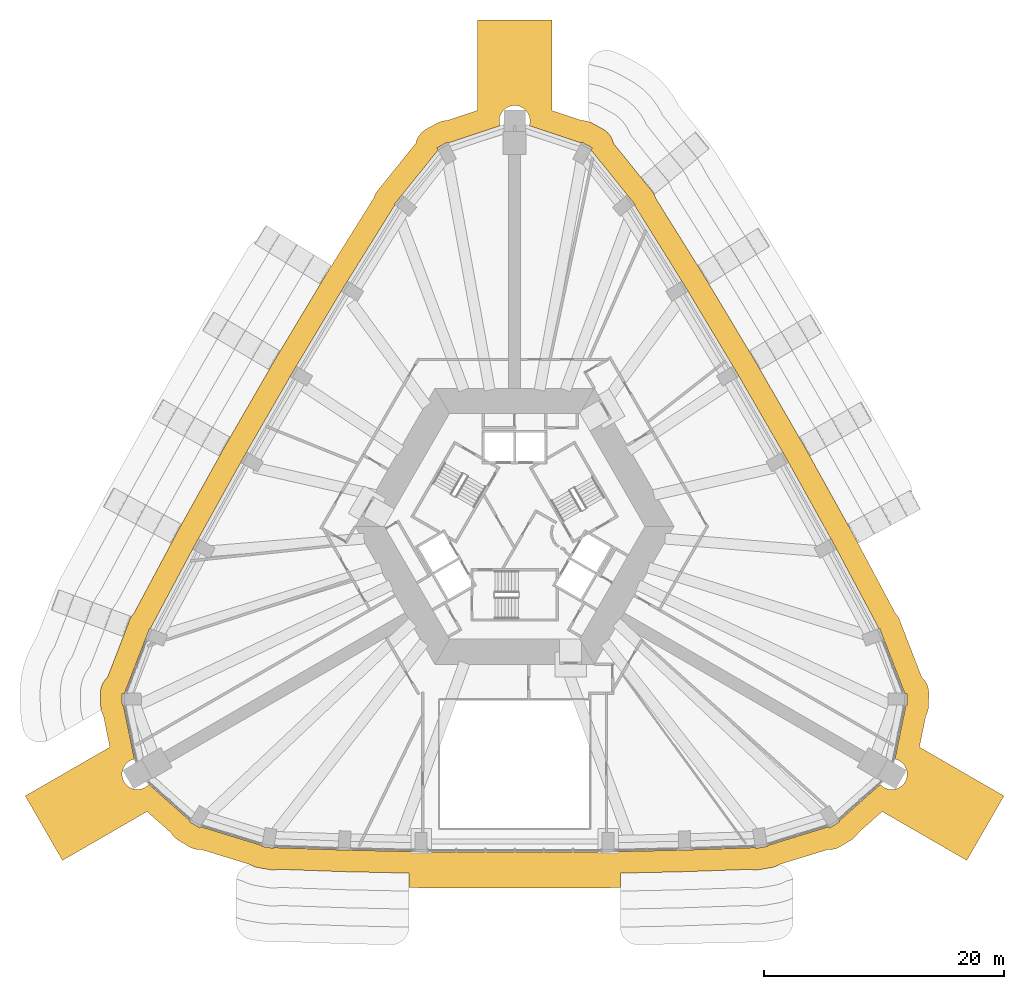
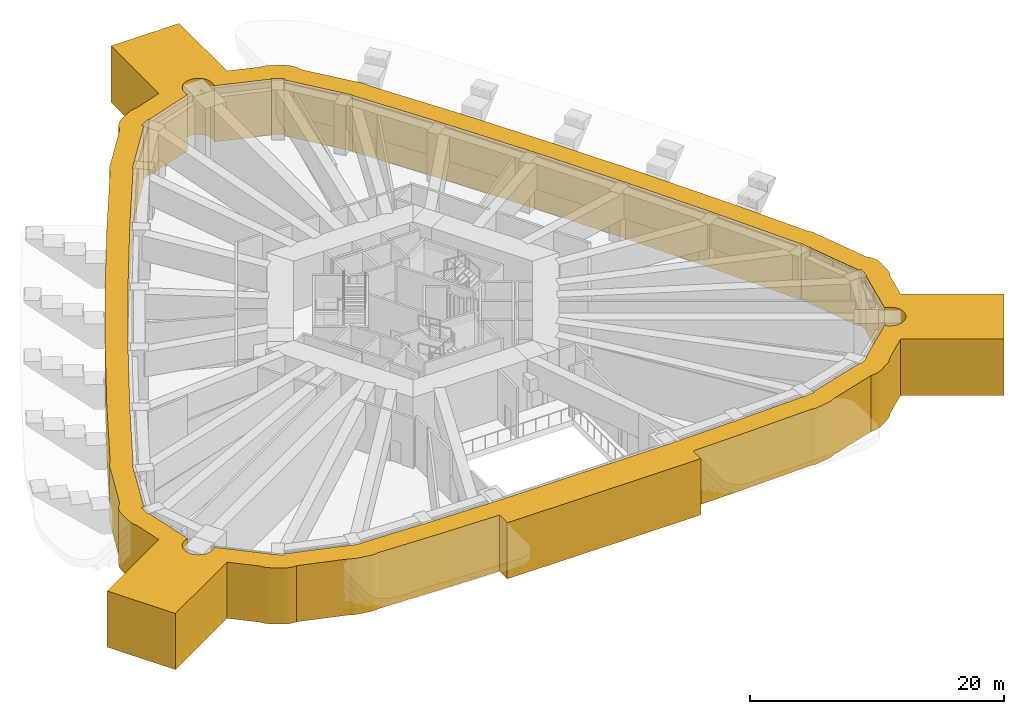
# One storey, part 19 of 21: 1 covering.
"""IFC4 building model written with IfcOpenShell, lengths in metres."""

from ifc_helpers import new_model, si_unit, direction, frame, origin, place, context, subcontext, project, spatial, polyline, outline, extrude, material, type_object, element, save


model = new_model("IFC4")

# Units and contexts
model_context = context("Model", 3, precision=1e-05, world=origin(), true_north=direction((0.0, 1.0)))
body_context = subcontext(model_context, "Body", "Model", "MODEL_VIEW")
ifc_project = project(units=[si_unit("LENGTHUNIT", "METRE"), si_unit("AREAUNIT", "SQUARE_METRE"), si_unit("VOLUMEUNIT", "CUBIC_METRE"), si_unit("PLANEANGLEUNIT", "RADIAN"), si_unit("MASSUNIT", "GRAM", prefix="KILO")], contexts=[model_context])

# Site, building, storey
site_placement = place(None, origin())
site = spatial("IfcSite", under=ifc_project, at=site_placement, CompositionType="ELEMENT")
building_placement = place(site_placement, origin())
building = spatial("IfcBuilding", under=site, at=building_placement, Name="Entoto Arch Interchange Tower", CompositionType="ELEMENT")
storey_placement = place(building_placement, frame((0.0, 0.0, 236.0)))
storey = spatial("IfcBuildingStorey", under=building, at=storey_placement, Name="L53", CompositionType="ELEMENT", Elevation=236.0)

# Covering
ifc_material = material(Name="Board-marked precast concrete C50/60", Category="concrete")
covering_type = type_object("IfcCoveringType", Name="PRECAST FRAME COURSE", PredefinedType="CLADDING", material=ifc_material)
covering_placement = place(storey_placement, frame((0.0, 0.0, -0.60009765625)))
element("IfcCovering", 1, at=covering_placement, inside=storey, type_object=covering_type, Name="Zone frame L53", PredefinedType="CLADDING", context=body_context, shape_type="SweptSolid", body=[
    extrude(outline(polyline([(-34.2490234375, -13.2939453125), (-34.327880859375, -13.136962890625), (-34.39208984375, -12.971923828125), (-34.43896484375, -12.801025390625), (-34.468994140625, -12.626953125), (-34.48193359375, -12.450927734375), (-34.507080078125, -11.451904296875), (-34.501953125, -11.27490234375), (-34.48095703125, -11.10009765625), (-34.44189453125, -10.927001953125), (-34.386962890625, -10.760009765625), (-34.31494140625, -10.597900390625), (-34.22802734375, -10.444091796875), (-34.126953125, -10.300048828125), (-34.010986328125, -10.166015625), (-33.916015625, -10.075927734375), (-32.26904296875, -5.822998046875), (-32.10107421875, -5.365966796875), (-32.031005859375, -5.2041015625), (-31.946044921875, -5.049072265625), (-31.846923828125, -4.903076171875), (-31.73291015625, -4.76806640625), (-31.712890625, -4.7490234375), (-28.429931640625, 1.407958984375), (-28.410888671875, 1.447998046875), (-27.93701171875, 2.3291015625), (-27.925048828125, 2.35009765625), (-24.425048828125, 8.64111328125), (-24.388916015625, 8.7109375), (-23.89794921875, 9.58203125), (-23.888916015625, 9.597900390625), (-20.303955078125, 15.798095703125), (-20.2470703125, 15.906005859375), (-19.739013671875, 16.76708984375), (-19.73193359375, 16.778076171875), (-16.069091796875, 22.87890625), (-15.985107421875, 23.030029296875), (-15.4599609375, 23.881103515625), (-15.4560546875, 23.887939453125), (-11.743896484375, 29.839111328125), (-11.737060546875, 29.864990234375), (-11.676025390625, 30.031005859375), (-11.60009765625, 30.19091796875), (-11.508056640625, 30.342041015625), (-11.402099609375, 30.48291015625), (-11.092041015625, 30.85693359375), (-8.23193359375, 34.410888671875), (-8.200927734375, 34.5380859375), (-8.14306640625, 34.705078125), (-8.068115234375, 34.864990234375), (-7.97900390625, 35.01806640625), (-7.875, 35.159912109375), (-7.757080078125, 35.2919921875), (-7.626953125, 35.412109375), (-7.486083984375, 35.51806640625), (-7.3349609375, 35.610107421875), (-6.45703125, 36.089111328125), (-6.298095703125, 36.166015625), (-6.132080078125, 36.22607421875), (-5.9609375, 36.27099609375), (-5.787109375, 36.298095703125), (-5.611083984375, 36.30810546875), (-3.10009765625, 37.14599609375), (-3.10009765625, 44.68310546875), (3.10009765625, 44.68310546875), (3.10009765625, 37.14599609375), (5.611083984375, 36.30810546875), (5.787109375, 36.298095703125), (5.9609375, 36.27099609375), (6.132080078125, 36.22607421875), (6.298095703125, 36.166015625), (6.45703125, 36.089111328125), (7.3349609375, 35.610107421875), (7.486083984375, 35.51806640625), (7.626953125, 35.412109375), (7.757080078125, 35.2919921875), (7.875, 35.159912109375), (7.97900390625, 35.01806640625), (8.068115234375, 34.864990234375), (8.14306640625, 34.705078125), (8.200927734375, 34.5380859375), (8.23193359375, 34.410888671875), (11.092041015625, 30.85693359375), (11.402099609375, 30.48291015625), (11.508056640625, 30.342041015625), (11.60009765625, 30.19091796875), (11.676025390625, 30.031005859375), (11.737060546875, 29.864990234375), (11.743896484375, 29.839111328125), (15.43408203125, 23.9189453125), (15.4599609375, 23.881103515625), (15.985107421875, 23.030029296875), (15.998046875, 23.009033203125), (19.696044921875, 16.83203125), (19.739013671875, 16.76708984375), (20.2470703125, 15.906005859375), (20.257080078125, 15.888916015625), (23.8330078125, 9.68505859375), (23.89794921875, 9.58203125), (24.388916015625, 8.7109375), (24.39599609375, 8.699951171875), (27.847900390625, 2.47607421875), (27.93701171875, 2.3291015625), (28.410888671875, 1.447998046875), (28.4150390625, 1.44091796875), (31.714111328125, -4.7490234375), (31.73291015625, -4.76806640625), (31.846923828125, -4.903076171875), (31.946044921875, -5.049072265625), (32.031005859375, -5.2041015625), (32.10107421875, -5.365966796875), (32.26904296875, -5.822998046875), (33.916015625, -10.075927734375), (34.010986328125, -10.166015625), (34.126953125, -10.300048828125), (34.22802734375, -10.444091796875), (34.31494140625, -10.597900390625), (34.386962890625, -10.760009765625), (34.44189453125, -10.927001953125), (34.48095703125, -11.10009765625), (34.501953125, -11.27490234375), (34.507080078125, -11.451904296875), (34.48193359375, -12.450927734375), (34.468994140625, -12.626953125), (34.43896484375, -12.801025390625), (34.39208984375, -12.971923828125), (34.327880859375, -13.136962890625), (34.2490234375, -13.2939453125), (33.718994140625, -15.887939453125), (40.76611328125, -19.9560546875), (37.666015625, -25.325927734375), (30.618896484375, -21.257080078125), (28.636962890625, -23.012939453125), (28.5400390625, -23.160888671875), (28.428955078125, -23.298095703125), (28.305908203125, -23.424072265625), (28.169921875, -23.537109375), (28.02392578125, -23.636962890625), (27.169921875, -24.157958984375), (27.014892578125, -24.241943359375), (26.85302734375, -24.31103515625), (26.68408203125, -24.364013671875), (26.510986328125, -24.39990234375), (26.3359375, -24.4189453125), (26.158935546875, -24.419921875), (26.10595703125, -24.4150390625), (22.028076171875, -25.673095703125), (22.02197265625, -25.677001953125), (21.868896484375, -25.762939453125), (21.70703125, -25.8349609375), (21.5390625, -25.889892578125), (21.366943359375, -25.927978515625), (20.381103515625, -26.097900390625), (20.2060546875, -26.118896484375), (20.029052734375, -26.123046875), (19.85302734375, -26.110107421875), (19.678955078125, -26.0791015625), (19.654052734375, -26.072021484375), (14.758056640625, -26.2451171875), (14.74609375, -26.24609375), (13.7470703125, -26.280029296875), (13.722900390625, -26.281005859375), (8.800048828125, -26.385009765625), (8.800048828125, -27.5849609375), (8.447021484375, -27.592041015625), (8.339111328125, -27.59912109375), (7.340087890625, -27.612060546875), (7.299072265625, -27.613037109375), (-7.1650390625, -27.60595703125), (-7.340087890625, -27.612060546875), (-8.339111328125, -27.59912109375), (-8.368896484375, -27.59912109375), (-8.800048828125, -27.589111328125), (-8.800048828125, -26.387939453125), (-13.594970703125, -26.278076171875), (-13.7470703125, -26.280029296875), (-14.74609375, -26.24609375), (-14.748046875, -26.24609375), (-19.654052734375, -26.072021484375), (-19.678955078125, -26.0791015625), (-19.85302734375, -26.110107421875), (-20.029052734375, -26.123046875), (-20.2060546875, -26.118896484375), (-20.381103515625, -26.097900390625), (-21.366943359375, -25.927978515625), (-21.5390625, -25.889892578125), (-21.70703125, -25.8349609375), (-21.868896484375, -25.762939453125), (-22.02197265625, -25.677001953125), (-22.028076171875, -25.673095703125), (-26.10595703125, -24.4150390625), (-26.158935546875, -24.419921875), (-26.3359375, -24.4189453125), (-26.510986328125, -24.39990234375), (-26.68408203125, -24.364013671875), (-26.85302734375, -24.31103515625), (-27.014892578125, -24.241943359375), (-27.169921875, -24.157958984375), (-28.02392578125, -23.636962890625), (-28.169921875, -23.537109375), (-28.305908203125, -23.424072265625), (-28.428955078125, -23.298095703125), (-28.5400390625, -23.160888671875), (-28.636962890625, -23.012939453125), (-30.618896484375, -21.257080078125), (-37.666015625, -25.325927734375), (-40.76611328125, -19.9560546875), (-33.718994140625, -15.887939453125), (-34.2490234375, -13.2939453125)]), holes=[polyline([(-27.0390625, -22.02392578125), (-27.0859375, -22.10009765625), (-26.658935546875, -22.361083984375), (-26.23193359375, -22.6220703125), (-26.166015625, -22.512939453125), (-21.051025390625, -24.090087890625), (-21.06201171875, -24.154052734375), (-20.569091796875, -24.239013671875), (-20.075927734375, -24.323974609375), (-20.06494140625, -24.257080078125), (-14.68505859375, -24.446044921875), (-14.68505859375, -24.447021484375), (-14.18505859375, -24.464111328125), (-13.68505859375, -24.48095703125), (-13.68505859375, -24.47509765625), (-8.300048828125, -24.594970703125), (-8.300048828125, -24.59912109375), (-7.300048828125, -24.613037109375), (-7.300048828125, -24.60595703125), (7.300048828125, -24.60595703125), (7.300048828125, -24.613037109375), (8.300048828125, -24.59912109375), (8.300048828125, -24.594970703125), (13.68505859375, -24.47509765625), (13.68505859375, -24.48095703125), (14.18505859375, -24.464111328125), (14.68505859375, -24.447021484375), (14.68505859375, -24.446044921875), (20.06494140625, -24.257080078125), (20.075927734375, -24.323974609375), (20.569091796875, -24.239013671875), (21.06201171875, -24.154052734375), (21.051025390625, -24.090087890625), (26.166015625, -22.512939453125), (26.23193359375, -22.6220703125), (26.658935546875, -22.361083984375), (27.0859375, -22.10009765625), (27.0390625, -22.02392578125), (30.467041015625, -18.987060546875), (30.51806640625, -19.044921875), (30.611083984375, -19.12890625), (30.7119140625, -19.202880859375), (30.820068359375, -19.26806640625), (30.93310546875, -19.322021484375), (31.051025390625, -19.364013671875), (31.173095703125, -19.39404296875), (31.297119140625, -19.4130859375), (31.422119140625, -19.4189453125), (31.547119140625, -19.4130859375), (31.6708984375, -19.39404296875), (31.79296875, -19.364013671875), (31.910888671875, -19.322021484375), (32.02392578125, -19.26806640625), (32.132080078125, -19.202880859375), (32.23291015625, -19.12890625), (32.325927734375, -19.044921875), (32.409912109375, -18.951904296875), (32.48388671875, -18.85107421875), (32.549072265625, -18.742919921875), (32.60302734375, -18.6298828125), (32.64501953125, -18.511962890625), (32.675048828125, -18.389892578125), (32.694091796875, -18.26611328125), (32.699951171875, -18.14111328125), (32.694091796875, -18.01611328125), (32.675048828125, -17.89208984375), (32.64501953125, -17.77001953125), (32.60302734375, -17.652099609375), (32.549072265625, -17.5390625), (32.48388671875, -17.430908203125), (32.409912109375, -17.330078125), (32.325927734375, -17.237060546875), (32.23291015625, -17.153076171875), (32.132080078125, -17.0791015625), (32.02392578125, -17.013916015625), (31.910888671875, -16.9599609375), (31.79296875, -16.91796875), (31.677978515625, -16.888916015625), (32.593017578125, -12.405029296875), (32.68310546875, -12.406982421875), (32.695068359375, -11.906982421875), (32.70703125, -11.406982421875), (32.512939453125, -11.402099609375), (32.485107421875, -11.364990234375), (30.5859375, -6.4599609375), (30.412109375, -5.990966796875), (30.34912109375, -6.014892578125), (26.823974609375, 0.593994140625), (26.825927734375, 0.594970703125), (26.35205078125, 1.47509765625), (26.345947265625, 1.471923828125), (22.819091796875, 7.824951171875), (22.822021484375, 7.826904296875), (22.330078125, 8.697021484375), (22.325927734375, 8.695068359375), (18.693115234375, 14.988037109375), (18.697021484375, 14.989990234375), (18.443115234375, 15.4208984375), (18.18896484375, 15.85205078125), (18.18603515625, 15.85009765625), (14.447998046875, 22.0810546875), (14.4541015625, 22.0849609375), (14.19091796875, 22.510009765625), (13.927978515625, 22.93505859375), (13.927001953125, 22.93408203125), (9.965087890625, 29.2900390625), (10.01708984375, 29.3330078125), (9.697998046875, 29.718017578125), (6.402099609375, 33.81298828125), (6.381103515625, 33.85791015625), (6.47412109375, 34.030029296875), (6.034912109375, 34.26904296875), (5.595947265625, 34.508056640625), (5.552978515625, 34.429931640625), (1.2109375, 35.87890625), (1.222900390625, 35.912109375), (1.2529296875, 36.033935546875), (1.27197265625, 36.157958984375), (1.278076171875, 36.282958984375), (1.27197265625, 36.407958984375), (1.2529296875, 36.531982421875), (1.222900390625, 36.654052734375), (1.180908203125, 36.77197265625), (1.126953125, 36.885009765625), (1.06201171875, 36.992919921875), (0.988037109375, 37.093994140625), (0.904052734375, 37.18701171875), (0.81103515625, 37.27099609375), (0.7099609375, 37.344970703125), (0.60205078125, 37.409912109375), (0.489013671875, 37.464111328125), (0.37109375, 37.506103515625), (0.2490234375, 37.535888671875), (0.125, 37.554931640625), (0.0, 37.56103515625), (-0.125, 37.554931640625), (-0.2490234375, 37.535888671875), (-0.37109375, 37.506103515625), (-0.489013671875, 37.464111328125), (-0.60205078125, 37.409912109375), (-0.7099609375, 37.344970703125), (-0.81103515625, 37.27099609375), (-0.904052734375, 37.18701171875), (-0.988037109375, 37.093994140625), (-1.06201171875, 36.992919921875), (-1.126953125, 36.885009765625), (-1.180908203125, 36.77197265625), (-1.222900390625, 36.654052734375), (-1.2529296875, 36.531982421875), (-1.27197265625, 36.407958984375), (-1.278076171875, 36.282958984375), (-1.27197265625, 36.157958984375), (-1.2529296875, 36.033935546875), (-1.222900390625, 35.912109375), (-1.2109375, 35.87890625), (-5.552978515625, 34.429931640625), (-5.595947265625, 34.508056640625), (-6.034912109375, 34.26904296875), (-6.47412109375, 34.030029296875), (-6.381103515625, 33.85791015625), (-6.402099609375, 33.81298828125), (-9.697998046875, 29.718017578125), (-10.01708984375, 29.3330078125), (-9.965087890625, 29.2900390625), (-13.927001953125, 22.93408203125), (-13.927978515625, 22.93505859375), (-14.19091796875, 22.510009765625), (-14.4541015625, 22.0849609375), (-14.447998046875, 22.0810546875), (-18.18603515625, 15.85009765625), (-18.18896484375, 15.85205078125), (-18.443115234375, 15.4208984375), (-18.697021484375, 14.989990234375), (-18.693115234375, 14.988037109375), (-22.325927734375, 8.695068359375), (-22.330078125, 8.697021484375), (-22.822021484375, 7.826904296875), (-22.819091796875, 7.824951171875), (-26.345947265625, 1.471923828125), (-26.35205078125, 1.47509765625), (-26.825927734375, 0.594970703125), (-26.823974609375, 0.593994140625), (-30.34912109375, -6.014892578125), (-30.412109375, -5.990966796875), (-30.5859375, -6.4599609375), (-32.485107421875, -11.364990234375), (-32.512939453125, -11.402099609375), (-32.70703125, -11.406982421875), (-32.695068359375, -11.906982421875), (-32.68310546875, -12.406982421875), (-32.593017578125, -12.405029296875), (-31.677978515625, -16.888916015625), (-31.79296875, -16.91796875), (-31.910888671875, -16.9599609375), (-32.02392578125, -17.013916015625), (-32.132080078125, -17.0791015625), (-32.23291015625, -17.153076171875), (-32.325927734375, -17.237060546875), (-32.409912109375, -17.330078125), (-32.48388671875, -17.430908203125), (-32.549072265625, -17.5390625), (-32.60302734375, -17.652099609375), (-32.64501953125, -17.77001953125), (-32.675048828125, -17.89208984375), (-32.694091796875, -18.01611328125), (-32.699951171875, -18.14111328125), (-32.694091796875, -18.26611328125), (-32.675048828125, -18.389892578125), (-32.64501953125, -18.511962890625), (-32.60302734375, -18.6298828125), (-32.549072265625, -18.742919921875), (-32.48388671875, -18.85107421875), (-32.409912109375, -18.951904296875), (-32.325927734375, -19.044921875), (-32.23291015625, -19.12890625), (-32.132080078125, -19.202880859375), (-32.02392578125, -19.26806640625), (-31.910888671875, -19.322021484375), (-31.79296875, -19.364013671875), (-31.6708984375, -19.39404296875), (-31.547119140625, -19.4130859375), (-31.422119140625, -19.4189453125), (-31.297119140625, -19.4130859375), (-31.173095703125, -19.39404296875), (-31.051025390625, -19.364013671875), (-30.93310546875, -19.322021484375), (-30.820068359375, -19.26806640625), (-30.7119140625, -19.202880859375), (-30.611083984375, -19.12890625), (-30.51806640625, -19.044921875), (-30.467041015625, -18.987060546875), (-27.0390625, -22.02392578125)])]), origin(), (0.0, 0.0, 1.0), 5.400146484375),
])

save(model, "model.ifc")
